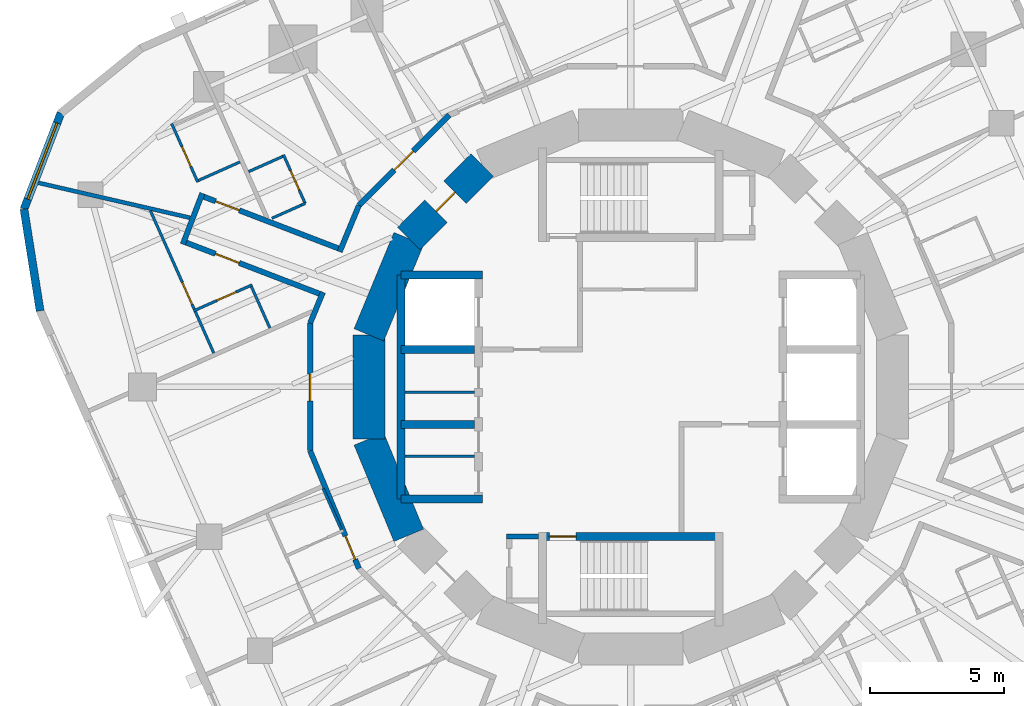
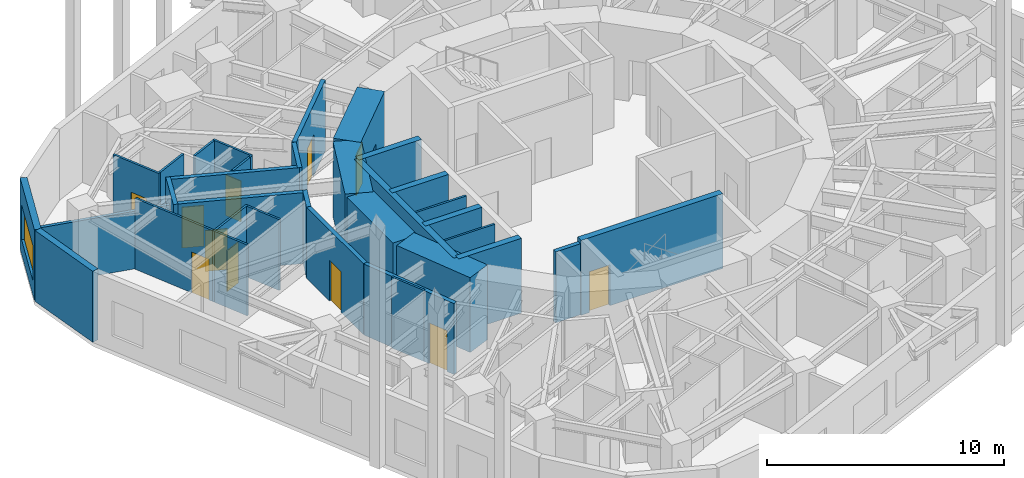
# One storey, part 6 of 11: 35 walls, 11 doors, 1 window, 12 openings.
"""IFC4 building model written with IfcOpenShell, lengths in metres."""

from ifc_helpers import new_model, si_unit, direction, frame, frame_2d, origin, place, context, subcontext, project, spatial, rectangle, extrude, material, layer, layer_set, type_object, element, fill, save


model = new_model("IFC4")

# Units and contexts
model_context = context("Model", 3, precision=1e-05, world=origin(), true_north=direction((0.0, 1.0)))
body_context = subcontext(model_context, "Body", "Model", "MODEL_VIEW")
ifc_project = project(units=[si_unit("LENGTHUNIT", "METRE"), si_unit("AREAUNIT", "SQUARE_METRE"), si_unit("VOLUMEUNIT", "CUBIC_METRE"), si_unit("PLANEANGLEUNIT", "RADIAN"), si_unit("MASSUNIT", "GRAM", prefix="KILO")], contexts=[model_context])

# Site, building, storey
site_placement = place(None, origin())
site = spatial("IfcSite", under=ifc_project, at=site_placement, CompositionType="ELEMENT")
building_placement = place(site_placement, origin())
building = spatial("IfcBuilding", under=site, at=building_placement, Name="Nakasero Lantern House", CompositionType="ELEMENT")
storey_placement = place(building_placement, frame((0.0, 0.0, 182.449951171875)))
storey = spatial("IfcBuildingStorey", under=building, at=storey_placement, Name="L44", CompositionType="ELEMENT", Elevation=182.449951171875)

# Walls
ifc_material_1 = material(Name="Concrete C50/60", Category="concrete")
ifc_layer_1 = layer(ifc_material_1, 0.300048828125)
ifc_layer_set_1 = layer_set([ifc_layer_1], Name="Core inner wall 300")
wall_type_1 = type_object("IfcWallType", Name="Core inner wall 300", PredefinedType="SHEAR", material=ifc_layer_set_1)
for number, where, z_axis, x_axis, name in (
    (1, (-8.60009765625, 4.199951171875, 0.0), (0.0, 0.0, 1.0), (1.0, 0.0, 0.0), "Core inner wall L44 LWN"),
    (2, (-8.60009765625, -4.199951171875, 0.0), (0.0, 0.0, 1.0), (1.0, 0.0, 0.0), "Core inner wall L44 LWS"),
):
    element("IfcWall", number, at=place(storey_placement, frame(where, z_axis=z_axis, x_axis=x_axis)), inside=storey, type_object=wall_type_1, Name=name, PredefinedType="SHEAR", context=body_context, shape_type="SweptSolid", body=[
        extrude(rectangle(XDim=3.050048828125, YDim=0.300048828125, at=frame_2d((1.52490234375, 0.0))), origin(), (0.0, 0.0, 1.0), 3.85009765625),
    ])
wall_1_placement = place(storey_placement, frame((-8.60009765625, -4.199951171875, 0.0), z_axis=(0.0, 0.0, 1.0), x_axis=(0.0, 1.0, 0.0)))
element("IfcWall", 3, at=wall_1_placement, inside=storey, type_object=wall_type_1, Name="Core inner wall L44 LWB", PredefinedType="SHEAR", context=body_context, shape_type="SweptSolid", body=[
    extrude(rectangle(XDim=8.39990234375, YDim=0.300048828125, at=frame_2d((4.199951171875, 0.0))), origin(), (0.0, 0.0, 1.0), 3.85009765625),
])
for number, where, z_axis, x_axis, name in (
    (4, (-8.60009765625, -1.39990234375, 0.0), (0.0, 0.0, 1.0), (1.0, 0.0, 0.0), "Core inner wall L44 LW1"),
    (5, (-8.60009765625, 1.39990234375, 0.0), (0.0, 0.0, 1.0), (1.0, 0.0, 0.0), "Core inner wall L44 LW2"),
):
    element("IfcWall", number, at=place(storey_placement, frame(where, z_axis=z_axis, x_axis=x_axis)), inside=storey, type_object=wall_type_1, Name=name, PredefinedType="SHEAR", context=body_context, shape_type="SweptSolid", body=[
        extrude(rectangle(XDim=2.75, YDim=0.300048828125, at=frame_2d((1.375, 0.0))), origin(), (0.0, 0.0, 1.0), 3.85009765625),
    ])

# Wall, opening, door
wall_2_placement = place(storey_placement, frame((-3.449951171875, -5.60009765625, 0.0), z_axis=(0.0, 0.0, 1.0), x_axis=(1.0, 0.0, 0.0)))
wall_2 = element("IfcWall", 6, at=wall_2_placement, inside=storey, type_object=wall_type_1, Name="Core inner wall L44 SS", PredefinedType="SHEAR", context=body_context, shape_type="SweptSolid", body=[
    extrude(rectangle(XDim=6.89990234375, YDim=0.300048828125, at=frame_2d((3.449951171875, 0.0))), origin(), (0.0, 0.0, 1.0), 3.85009765625),
])
opening_1_placement = place(wall_2_placement, frame((0.39990234375, 0.0, 0.0)))
opening_1 = element("IfcOpeningElement", 7, at=opening_1_placement, cuts=wall_2, Name="Opening D05", PredefinedType="OPENING", context=body_context, shape_type="SweptSolid", body=[
    extrude(rectangle(XDim=1.0, YDim=2.10009765625, at=frame_2d((0.5, 1.050048828125))), frame((0.0, 0.169921875, 0.0), z_axis=(0.0, -1.0, 0.0), x_axis=(1.0, 0.0, 0.0)), (0.0, 0.0, 1.0), 0.340087890625),
])
ifc_material_2 = material(Name="Timber C24", Category="wood")
door_type_1 = type_object("IfcDoorType", Name="Core door FD60S 1000", OperationType="SINGLE_SWING_LEFT", PredefinedType="DOOR", material=ifc_material_2)
door_1_placement = place(opening_1_placement, origin())
door_1 = element("IfcDoor", 8, at=door_1_placement, inside=storey, type_object=door_type_1, Name="Door L44 D-ST2", OperationType="SINGLE_SWING_LEFT", OverallHeight=2.10009765625, OverallWidth=1.0, PredefinedType="DOOR", context=body_context, shape_type="SweptSolid", body=[
    extrude(rectangle(XDim=1.0, YDim=2.10009765625, at=frame_2d((0.5, 1.050048828125))), frame((0.0, 0.02490234375, 0.0), z_axis=(0.0, -1.0, 0.0), x_axis=(1.0, 0.0, 0.0)), (0.0, 0.0, 1.0), 0.050048828125),
])
fill(opening_1, door_1)

# Walls
ifc_material_3 = material(Name="Blockwork", Category="masonry")
ifc_layer_2 = layer(ifc_material_3, 0.10009765625)
ifc_layer_set_2 = layer_set([ifc_layer_2], Name="Core room wall 100")
wall_type_2 = type_object("IfcWallType", Name="Core room wall 100", PredefinedType="PARTITIONING", material=ifc_layer_set_2)
for number, where, z_axis, x_axis, name in (
    (9, (-8.449951171875, -2.60009765625, 0.0), (0.0, 0.0, 1.0), (1.0, 0.0, 0.0), "Core room wall L44 CR-SH-LW1b"),
    (10, (-8.449951171875, -0.199951171875, 0.0), (0.0, 0.0, 1.0), (1.0, 0.0, 0.0), "Core room wall L44 CR-SH-LW2b"),
):
    element("IfcWall", number, at=place(storey_placement, frame(where, z_axis=z_axis, x_axis=x_axis)), inside=storey, type_object=wall_type_2, Name=name, PredefinedType="PARTITIONING", context=body_context, shape_type="SweptSolid", body=[
        extrude(rectangle(XDim=2.599853515625, YDim=0.10009765625, at=frame_2d((1.2998046875, 0.0))), origin(), (0.0, 0.0, 1.0), 3.650146484375),
    ])

# Wall, opening, door
ifc_material_4 = material(Name="Concrete C50/60", Category="concrete")
ifc_layer_3 = layer(ifc_material_4, 1.199951171875)
ifc_layer_set_3 = layer_set([ifc_layer_3], Name="Core wall 1200")
wall_type_3 = type_object("IfcWallType", Name="Core wall 1200", PredefinedType="SHEAR", material=ifc_layer_set_3)
wall_3_placement = place(storey_placement, frame((-5.5556640625, 8.314697265625, 0.0), z_axis=(0.0, 0.0, 1.0), x_axis=(-0.707106781187, -0.707106781187, 0.0)))
wall_3 = element("IfcWall", 11, at=wall_3_placement, inside=storey, type_object=wall_type_3, Name="Core wall L44 facet 6", PredefinedType="SHEAR", context=body_context, shape_type="SweptSolid", body=[
    extrude(rectangle(XDim=3.90185546875, YDim=1.199951171875, at=frame_2d((1.950927734375, 0.0))), origin(), (0.0, 0.0, 1.0), 3.85009765625),
])
opening_2_placement = place(wall_3_placement, frame((1.450927734375, 0.0, 0.0)))
opening_2 = element("IfcOpeningElement", 12, at=opening_2_placement, cuts=wall_3, Name="Opening D05", PredefinedType="OPENING", context=body_context, shape_type="SweptSolid", body=[
    extrude(rectangle(XDim=1.0, YDim=2.10009765625, at=frame_2d((0.5, 1.050048828125))), frame((0.0, 0.619873046875, 0.0), z_axis=(0.0, -1.0, 0.0), x_axis=(1.0, 0.0, 0.0)), (0.0, 0.0, 1.0), 1.239990234375),
])
door_2_placement = place(opening_2_placement, origin())
door_2 = element("IfcDoor", 13, at=door_2_placement, inside=storey, type_object=door_type_1, Name="Door L44 D-CORE06", OperationType="SINGLE_SWING_LEFT", OverallHeight=2.10009765625, OverallWidth=1.0, PredefinedType="DOOR", context=body_context, shape_type="SweptSolid", body=[
    extrude(rectangle(XDim=1.0, YDim=2.10009765625, at=frame_2d((0.5, 1.050048828125))), frame((0.0, 0.02490234375, 0.0), z_axis=(0.0, -1.0, 0.0), x_axis=(1.0, 0.0, 0.0)), (0.0, 0.0, 1.0), 0.050048828125),
])
fill(opening_2, door_2)

# Walls
for number, where, z_axis, x_axis, name in (
    (14, (-8.314697265625, 5.5556640625, 0.0), (0.0, 0.0, 1.0), (-0.382690736062, -0.923876507187, 0.0), "Core wall L44 facet 7"),
    (15, (-9.807861328125, 1.950927734375, 0.0), (0.0, 0.0, 1.0), (0.0, -1.0, 0.0), "Core wall L44 facet 8"),
    (16, (-9.807861328125, -1.950927734375, 0.0), (0.0, 0.0, 1.0), (0.382690736062, -0.923876507187, 0.0), "Core wall L44 facet 9"),
):
    element("IfcWall", number, at=place(storey_placement, frame(where, z_axis=z_axis, x_axis=x_axis)), inside=storey, type_object=wall_type_3, Name=name, PredefinedType="SHEAR", context=body_context, shape_type="SweptSolid", body=[
        extrude(rectangle(XDim=3.90185546875, YDim=1.199951171875, at=frame_2d((1.950927734375, 0.0))), origin(), (0.0, 0.0, 1.0), 3.85009765625),
    ])

# Wall, opening, door
ifc_material_5 = material(Name="Blockwork", Category="masonry")
ifc_layer_4 = layer(ifc_material_5, 0.199951171875)
ifc_layer_set_4 = layer_set([ifc_layer_4], Name="Corridor wall 200")
wall_type_4 = type_object("IfcWallType", Name="Corridor wall 200", PredefinedType="PARTITIONING", material=ifc_layer_set_4)
wall_4_placement = place(storey_placement, frame((-10.1796875, -6.802001953125, 0.0), z_axis=(0.0, 0.0, 1.0), x_axis=(-0.382676767893, 0.923882292998, 0.0)))
wall_4 = element("IfcWall", 17, at=wall_4_placement, inside=storey, type_object=wall_type_4, Name="Corridor wall L44 RC07a", PredefinedType="PARTITIONING", context=body_context, shape_type="SweptSolid", body=[
    extrude(rectangle(XDim=4.777099609375, YDim=0.199951171875, at=frame_2d((2.388671875, 0.0))), origin(), (0.0, 0.0, 1.0), 3.650146484375),
])
opening_3_placement = place(wall_4_placement, frame((0.3701171875, 0.0, 0.0)))
opening_3 = element("IfcOpeningElement", 18, at=opening_3_placement, cuts=wall_4, Name="Opening D01", PredefinedType="OPENING", context=body_context, shape_type="SweptSolid", body=[
    extrude(rectangle(XDim=0.949951171875, YDim=2.10009765625, at=frame_2d((0.47509765625, 1.050048828125))), frame((0.0, 0.119873046875, 0.0), z_axis=(0.0, -1.0, 0.0), x_axis=(1.0, 0.0, 0.0)), (0.0, 0.0, 1.0), 0.239990234375),
])
ifc_material_6 = material(Name="Timber C24", Category="wood")
door_type_2 = type_object("IfcDoorType", Name="Bedroom door FD30S 950", OperationType="SINGLE_SWING_LEFT", PredefinedType="DOOR", material=ifc_material_6)
door_3_placement = place(opening_3_placement, origin())
door_3 = element("IfcDoor", 19, at=door_3_placement, inside=storey, type_object=door_type_2, Name="Door L44 D2-03", OperationType="SINGLE_SWING_LEFT", OverallHeight=2.10009765625, OverallWidth=0.949951171875, PredefinedType="DOOR", context=body_context, shape_type="SweptSolid", body=[
    extrude(rectangle(XDim=0.949951171875, YDim=2.10009765625, at=frame_2d((0.47509765625, 1.050048828125))), frame((0.0, 0.02490234375, 0.0), z_axis=(0.0, -1.0, 0.0), x_axis=(1.0, 0.0, 0.0)), (0.0, 0.0, 1.0), 0.050048828125),
])
fill(opening_3, door_3)

wall_5_placement = place(storey_placement, frame((-12.0078125, -2.388427734375, 0.0), z_axis=(0.0, 0.0, 1.0), x_axis=(0.0, 1.0, 0.0)))
wall_5 = element("IfcWall", 20, at=wall_5_placement, inside=storey, type_object=wall_type_4, Name="Corridor wall L44 RC08a", PredefinedType="PARTITIONING", context=body_context, shape_type="SweptSolid", body=[
    extrude(rectangle(XDim=4.77685546875, YDim=0.199951171875, at=frame_2d((2.388427734375, 0.0))), origin(), (0.0, 0.0, 1.0), 3.650146484375),
])
opening_4_placement = place(wall_5_placement, frame((1.8701171875, 0.0, 0.0)))
opening_4 = element("IfcOpeningElement", 21, at=opening_4_placement, cuts=wall_5, Name="Opening D03", PredefinedType="OPENING", context=body_context, shape_type="SweptSolid", body=[
    extrude(rectangle(XDim=1.0, YDim=2.10009765625, at=frame_2d((0.5, 1.050048828125))), frame((0.0, 0.119873046875, 0.0), z_axis=(0.0, -1.0, 0.0), x_axis=(1.0, 0.0, 0.0)), (0.0, 0.0, 1.0), 0.239990234375),
])
ifc_material_7 = material(Name="Timber C24", Category="wood")
door_type_3 = type_object("IfcDoorType", Name="Lounge door FD30S 1000", OperationType="SINGLE_SWING_LEFT", PredefinedType="DOOR", material=ifc_material_7)
door_4_placement = place(opening_4_placement, origin())
door_4 = element("IfcDoor", 22, at=door_4_placement, inside=storey, type_object=door_type_3, Name="Door L44 DK2", OperationType="SINGLE_SWING_LEFT", OverallHeight=2.10009765625, OverallWidth=1.0, PredefinedType="DOOR", context=body_context, shape_type="SweptSolid", body=[
    extrude(rectangle(XDim=1.0, YDim=2.10009765625, at=frame_2d((0.5, 1.050048828125))), frame((0.0, 0.02490234375, 0.0), z_axis=(0.0, -1.0, 0.0), x_axis=(1.0, 0.0, 0.0)), (0.0, 0.0, 1.0), 0.050048828125),
])
fill(opening_4, door_4)

# Walls
wall_6_placement = place(storey_placement, frame((-12.0078125, 2.388427734375, 0.0), z_axis=(0.0, 0.0, 1.0), x_axis=(0.382609746966, 0.923910050561, 0.0)))
element("IfcWall", 23, at=wall_6_placement, inside=storey, type_object=wall_type_4, Name="Corridor wall L44 RC09a", PredefinedType="PARTITIONING", context=body_context, shape_type="SweptSolid", body=[
    extrude(rectangle(XDim=1.25390625, YDim=0.199951171875, at=frame_2d((0.626953125, 0.0))), origin(), (0.0, 0.0, 1.0), 3.650146484375),
])
wall_7_placement = place(storey_placement, frame((-10.900146484375, 5.0625, 0.0), z_axis=(0.0, 0.0, 1.0), x_axis=(0.38265336809, 0.923891984969, 0.0)))
element("IfcWall", 24, at=wall_7_placement, inside=storey, type_object=wall_type_4, Name="Corridor wall L44 RC09b", PredefinedType="PARTITIONING", context=body_context, shape_type="SweptSolid", body=[
    extrude(rectangle(XDim=1.8828125, YDim=0.199951171875, at=frame_2d((0.94140625, 0.0))), origin(), (0.0, 0.0, 1.0), 3.650146484375),
])

# Wall, opening, door
wall_8_placement = place(storey_placement, frame((-10.1796875, 6.802001953125, 0.0), z_axis=(0.0, 0.0, 1.0), x_axis=(0.707106781187, 0.707106781187, 0.0)))
wall_8 = element("IfcWall", 25, at=wall_8_placement, inside=storey, type_object=wall_type_4, Name="Corridor wall L44 RC10a", PredefinedType="PARTITIONING", context=body_context, shape_type="SweptSolid", body=[
    extrude(rectangle(XDim=4.77685546875, YDim=0.199951171875, at=frame_2d((2.388427734375, 0.0))), origin(), (0.0, 0.0, 1.0), 3.650146484375),
])
opening_5_placement = place(wall_8_placement, frame((1.8701171875, 0.0, 0.0)))
opening_5 = element("IfcOpeningElement", 26, at=opening_5_placement, cuts=wall_8, Name="Opening D14", PredefinedType="OPENING", context=body_context, shape_type="SweptSolid", body=[
    extrude(rectangle(XDim=1.0, YDim=2.10009765625, at=frame_2d((0.5, 1.050048828125))), frame((0.0, 0.119873046875, 0.0), z_axis=(0.0, -1.0, 0.0), x_axis=(1.0, 0.0, 0.0)), (0.0, 0.0, 1.0), 0.239990234375),
])
ifc_material_8 = material(Name="Timber C24", Category="wood")
door_type_4 = type_object("IfcDoorType", Name="Cluster entrance door FD30S 1000", OperationType="SINGLE_SWING_LEFT", PredefinedType="DOOR", material=ifc_material_8)
door_5_placement = place(opening_5_placement, origin())
door_5 = element("IfcDoor", 27, at=door_5_placement, inside=storey, type_object=door_type_4, Name="Door L44 D1-04", OperationType="SINGLE_SWING_LEFT", OverallHeight=2.10009765625, OverallWidth=1.0, PredefinedType="DOOR", context=body_context, shape_type="SweptSolid", body=[
    extrude(rectangle(XDim=1.0, YDim=2.10009765625, at=frame_2d((0.5, 1.050048828125))), frame((0.0, 0.02490234375, 0.0), z_axis=(0.0, -1.0, 0.0), x_axis=(1.0, 0.0, 0.0)), (0.0, 0.0, 1.0), 0.050048828125),
])
fill(opening_5, door_5)

wall_9_placement = place(storey_placement, frame((-10.862060546875, 5.155029296875, 0.0), z_axis=(0.0, 0.0, 1.0), x_axis=(-0.933576547613, 0.35837805422, 0.0)))
wall_9 = element("IfcWall", 28, at=wall_9_placement, inside=storey, type_object=wall_type_4, Name="Corridor wall L44 SP1a", PredefinedType="PARTITIONING", context=body_context, shape_type="SweptSolid", body=[
    extrude(rectangle(XDim=5.689697265625, YDim=0.199951171875, at=frame_2d((2.8447265625, 0.0))), origin(), (0.0, 0.0, 1.0), 3.650146484375),
])
opening_6_placement = place(wall_9_placement, frame((4.070068359375, 0.0, 0.0)))
opening_6 = element("IfcOpeningElement", 29, at=opening_6_placement, cuts=wall_9, Name="Opening D01", PredefinedType="OPENING", context=body_context, shape_type="SweptSolid", body=[
    extrude(rectangle(XDim=0.949951171875, YDim=2.10009765625, at=frame_2d((0.47509765625, 1.050048828125))), frame((0.0, 0.119873046875, 0.0), z_axis=(0.0, -1.0, 0.0), x_axis=(1.0, 0.0, 0.0)), (0.0, 0.0, 1.0), 0.239990234375),
])
door_6_placement = place(opening_6_placement, origin())
door_6 = element("IfcDoor", 30, at=door_6_placement, inside=storey, type_object=door_type_2, Name="Door L44 D1-06", OperationType="SINGLE_SWING_RIGHT", OverallHeight=2.10009765625, OverallWidth=0.949951171875, PredefinedType="DOOR", context=body_context, shape_type="SweptSolid", body=[
    extrude(rectangle(XDim=0.949951171875, YDim=2.10009765625, at=frame_2d((0.47509765625, 1.050048828125))), frame((0.0, 0.02490234375, 0.0), z_axis=(0.0, -1.0, 0.0), x_axis=(1.0, 0.0, 0.0)), (0.0, 0.0, 1.0), 0.050048828125),
])
fill(opening_6, door_6)

wall_10_placement = place(storey_placement, frame((-11.56640625, 3.454345703125, 0.0), z_axis=(0.0, 0.0, 1.0), x_axis=(-0.933567378484, 0.358401938933, 0.0)))
wall_10 = element("IfcWall", 31, at=wall_10_placement, inside=storey, type_object=wall_type_4, Name="Corridor wall L44 SP1b", PredefinedType="PARTITIONING", context=body_context, shape_type="SweptSolid", body=[
    extrude(rectangle(XDim=5.6416015625, YDim=0.199951171875, at=frame_2d((2.82080078125, 0.0))), origin(), (0.0, 0.0, 1.0), 3.650146484375),
])
opening_7_placement = place(wall_10_placement, frame((3.320068359375, 0.0, 0.0)))
opening_7 = element("IfcOpeningElement", 32, at=opening_7_placement, cuts=wall_10, Name="Opening D01", PredefinedType="OPENING", context=body_context, shape_type="SweptSolid", body=[
    extrude(rectangle(XDim=0.949951171875, YDim=2.10009765625, at=frame_2d((0.47509765625, 1.050048828125))), frame((0.0, 0.119873046875, 0.0), z_axis=(0.0, -1.0, 0.0), x_axis=(1.0, 0.0, 0.0)), (0.0, 0.0, 1.0), 0.239990234375),
])
door_7_placement = place(opening_7_placement, origin())
door_7 = element("IfcDoor", 33, at=door_7_placement, inside=storey, type_object=door_type_2, Name="Door L44 D2-00", OperationType="SINGLE_SWING_RIGHT", OverallHeight=2.10009765625, OverallWidth=0.949951171875, PredefinedType="DOOR", context=body_context, shape_type="SweptSolid", body=[
    extrude(rectangle(XDim=0.949951171875, YDim=2.10009765625, at=frame_2d((0.47509765625, 1.050048828125))), frame((0.0, 0.02490234375, 0.0), z_axis=(0.0, -1.0, 0.0), x_axis=(1.0, 0.0, 0.0)), (0.0, 0.0, 1.0), 0.050048828125),
])
fill(opening_7, door_7)

# Wall
wall_11_placement = place(storey_placement, frame((-16.044677734375, 7.25146484375, 0.0), z_axis=(0.0, 0.0, 1.0), x_axis=(-0.358457713283, -0.933545964475, 0.0)))
element("IfcWall", 34, at=wall_11_placement, inside=storey, type_object=wall_type_4, Name="Corridor wall L44 SP1e", PredefinedType="PARTITIONING", context=body_context, shape_type="SweptSolid", body=[
    extrude(rectangle(XDim=2.039794921875, YDim=0.199951171875, at=frame_2d((1.02001953125, 0.0))), origin(), (0.0, 0.0, 1.0), 3.650146484375),
])

# Wall, opening, door
ifc_material_9 = material(Name="Blockwork", Category="masonry")
ifc_layer_5 = layer(ifc_material_9, 0.10009765625)
ifc_layer_set_5 = layer_set([ifc_layer_5], Name="En-suite wall 100")
wall_type_5 = type_object("IfcWallType", Name="En-suite wall 100", PredefinedType="PARTITIONING", material=ifc_layer_set_5)
wall_12_placement = place(storey_placement, frame((-12.19384765625, 6.87158203125, 0.0), z_axis=(0.0, 0.0, 1.0), x_axis=(-0.406727323635, 0.913549606868, 0.0)))
wall_12 = element("IfcWall", 35, at=wall_12_placement, inside=storey, type_object=wall_type_5, Name="En-suite wall L44 ES1-05", PredefinedType="PARTITIONING", context=body_context, shape_type="SweptSolid", body=[
    extrude(rectangle(XDim=2.0, YDim=0.10009765625, at=frame_2d((1.0, 0.0))), origin(), (0.0, 0.0, 1.0), 3.650146484375),
])
opening_8_placement = place(wall_12_placement, frame((0.550048828125, 0.0, 0.0)))
opening_8 = element("IfcOpeningElement", 36, at=opening_8_placement, cuts=wall_12, Name="Opening D02", PredefinedType="OPENING", context=body_context, shape_type="SweptSolid", body=[
    extrude(rectangle(XDim=0.800048828125, YDim=2.10009765625, at=frame_2d((0.39990234375, 1.050048828125))), frame((0.0, 0.070068359375, 0.0), z_axis=(0.0, -1.0, 0.0), x_axis=(1.0, 0.0, 0.0)), (0.0, 0.0, 1.0), 0.14013671875),
])
ifc_material_10 = material(Name="Timber C24", Category="wood")
door_type_5 = type_object("IfcDoorType", Name="En-suite door 800", OperationType="SINGLE_SWING_RIGHT", PredefinedType="DOOR", material=ifc_material_10)
door_8_placement = place(opening_8_placement, origin())
door_8 = element("IfcDoor", 37, at=door_8_placement, inside=storey, type_object=door_type_5, Name="Door L44 DE1-05", OperationType="SINGLE_SWING_LEFT", OverallHeight=2.10009765625, OverallWidth=0.800048828125, PredefinedType="DOOR", context=body_context, shape_type="SweptSolid", body=[
    extrude(rectangle(XDim=0.800048828125, YDim=2.10009765625, at=frame_2d((0.39990234375, 1.050048828125))), frame((0.0, 0.02490234375, 0.0), z_axis=(0.0, -1.0, 0.0), x_axis=(1.0, 0.0, 0.0)), (0.0, 0.0, 1.0), 0.050048828125),
])
fill(opening_8, door_8)

# Wall
wall_13_placement = place(storey_placement, frame((-13.032470703125, 8.632568359375, 0.0), z_axis=(0.0, 0.0, 1.0), x_axis=(-0.91358129113, -0.406656150203, 0.0)))
element("IfcWall", 38, at=wall_13_placement, inside=storey, type_object=wall_type_5, Name="En-suite wall L44 EE1-05", PredefinedType="PARTITIONING", context=body_context, shape_type="SweptSolid", body=[
    extrude(rectangle(XDim=1.400146484375, YDim=0.10009765625, at=frame_2d((0.7001953125, 0.0))), origin(), (0.0, 0.0, 1.0), 3.650146484375),
])

# Wall, opening, door
wall_14_placement = place(storey_placement, frame((-16.215087890625, 7.66748046875, 0.0), z_axis=(0.0, 0.0, 1.0), x_axis=(-0.40677069889, 0.913530294257, 0.0)))
wall_14 = element("IfcWall", 39, at=wall_14_placement, inside=storey, type_object=wall_type_5, Name="En-suite wall L44 ES1-06", PredefinedType="PARTITIONING", context=body_context, shape_type="SweptSolid", body=[
    extrude(rectangle(XDim=2.400146484375, YDim=0.10009765625, at=frame_2d((1.2001953125, 0.0))), origin(), (0.0, 0.0, 1.0), 3.650146484375),
])
opening_9_placement = place(wall_14_placement, frame((0.64990234375, 0.0, 0.0)))
opening_9 = element("IfcOpeningElement", 40, at=opening_9_placement, cuts=wall_14, Name="Opening D02", PredefinedType="OPENING", context=body_context, shape_type="SweptSolid", body=[
    extrude(rectangle(XDim=0.800048828125, YDim=2.10009765625, at=frame_2d((0.39990234375, 1.050048828125))), frame((0.0, 0.070068359375, 0.0), z_axis=(0.0, -1.0, 0.0), x_axis=(1.0, 0.0, 0.0)), (0.0, 0.0, 1.0), 0.14013671875),
])
door_9_placement = place(opening_9_placement, origin())
door_9 = element("IfcDoor", 41, at=door_9_placement, inside=storey, type_object=door_type_5, Name="Door L44 DE1-06", OperationType="SINGLE_SWING_LEFT", OverallHeight=2.10009765625, OverallWidth=0.800048828125, PredefinedType="DOOR", context=body_context, shape_type="SweptSolid", body=[
    extrude(rectangle(XDim=0.800048828125, YDim=2.10009765625, at=frame_2d((0.39990234375, 1.050048828125))), frame((0.0, 0.02490234375, 0.0), z_axis=(0.0, -1.0, 0.0), x_axis=(1.0, 0.0, 0.0)), (0.0, 0.0, 1.0), 0.050048828125),
])
fill(opening_9, door_9)

# Wall
wall_15_placement = place(storey_placement, frame((-14.63671875, 8.425048828125, 0.0), z_axis=(0.0, 0.0, 1.0), x_axis=(-0.91357452948, -0.406671340378, 0.0)))
element("IfcWall", 42, at=wall_15_placement, inside=storey, type_object=wall_type_5, Name="En-suite wall L44 EI1-06", PredefinedType="PARTITIONING", context=body_context, shape_type="SweptSolid", body=[
    extrude(rectangle(XDim=1.7001953125, YDim=0.10009765625, at=frame_2d((0.85009765625, 0.0))), origin(), (0.0, 0.0, 1.0), 3.650146484375),
])

# Wall, opening, door
wall_16_placement = place(storey_placement, frame((-14.180908203125, 3.822998046875, 0.0), z_axis=(0.0, 0.0, 1.0), x_axis=(-0.913530294257, -0.40677069889, 0.0)))
wall_16 = element("IfcWall", 43, at=wall_16_placement, inside=storey, type_object=wall_type_5, Name="En-suite wall L44 ES2-00", PredefinedType="PARTITIONING", context=body_context, shape_type="SweptSolid", body=[
    extrude(rectangle(XDim=2.400146484375, YDim=0.10009765625, at=frame_2d((1.2001953125, 0.0))), origin(), (0.0, 0.0, 1.0), 3.650146484375),
])
opening_10_placement = place(wall_16_placement, frame((0.64990234375, 0.0, 0.0)))
opening_10 = element("IfcOpeningElement", 44, at=opening_10_placement, cuts=wall_16, Name="Opening D02", PredefinedType="OPENING", context=body_context, shape_type="SweptSolid", body=[
    extrude(rectangle(XDim=0.800048828125, YDim=2.10009765625, at=frame_2d((0.39990234375, 1.050048828125))), frame((0.0, 0.070068359375, 0.0), z_axis=(0.0, -1.0, 0.0), x_axis=(1.0, 0.0, 0.0)), (0.0, 0.0, 1.0), 0.14013671875),
])
door_10_placement = place(opening_10_placement, origin())
door_10 = element("IfcDoor", 45, at=door_10_placement, inside=storey, type_object=door_type_5, Name="Door L44 DE2-00", OperationType="SINGLE_SWING_LEFT", OverallHeight=2.10009765625, OverallWidth=0.800048828125, PredefinedType="DOOR", context=body_context, shape_type="SweptSolid", body=[
    extrude(rectangle(XDim=0.800048828125, YDim=2.10009765625, at=frame_2d((0.39990234375, 1.050048828125))), frame((0.0, 0.02490234375, 0.0), z_axis=(0.0, -1.0, 0.0), x_axis=(1.0, 0.0, 0.0)), (0.0, 0.0, 1.0), 0.050048828125),
])
fill(opening_10, door_10)

# Walls
wall_17_placement = place(storey_placement, frame((-16.307373046875, 2.821533203125, 0.0), z_axis=(0.0, 0.0, 1.0), x_axis=(0.406671340378, -0.91357452948, 0.0)))
element("IfcWall", 46, at=wall_17_placement, inside=storey, type_object=wall_type_5, Name="En-suite wall L44 EE2-00", PredefinedType="PARTITIONING", context=body_context, shape_type="SweptSolid", body=[
    extrude(rectangle(XDim=1.7001953125, YDim=0.10009765625, at=frame_2d((0.85009765625, 0.0))), origin(), (0.0, 0.0, 1.0), 3.650146484375),
])
for number, where, z_axis, x_axis, name in (
    (47, (-14.206298828125, 3.7568359375, 0.0), (0.0, 0.0, 1.0), (0.406724697108, -0.913550776237, 0.0), "En-suite wall L44 EI2-00"),
    (48, (-11.526123046875, -3.798583984375, 0.0), (0.0, 0.0, 1.0), (0.406724697108, -0.913550776237, 0.0), "En-suite wall L44 EI2-03"),
):
    element("IfcWall", number, at=place(storey_placement, frame(where, z_axis=z_axis, x_axis=x_axis)), inside=storey, type_object=wall_type_5, Name=name, PredefinedType="PARTITIONING", context=body_context, shape_type="SweptSolid", body=[
        extrude(rectangle(XDim=1.699951171875, YDim=0.10009765625, at=frame_2d((0.85009765625, 0.0))), origin(), (0.0, 0.0, 1.0), 3.650146484375),
    ])

# Wall, opening, door
wall_18_placement = place(storey_placement, frame((-17.989990234375, 6.6005859375, 0.0), z_axis=(0.0, 0.0, 1.0), x_axis=(0.40672759341, -0.91354948676, 0.0)))
wall_18 = element("IfcWall", 49, at=wall_18_placement, inside=storey, type_object=wall_type_5, Name="En-suite wall L44 EL2-00", PredefinedType="PARTITIONING", context=body_context, shape_type="SweptSolid", body=[
    extrude(rectangle(XDim=4.03662109375, YDim=0.10009765625, at=frame_2d((2.018310546875, 0.0))), origin(), (0.0, 0.0, 1.0), 3.650146484375),
])
opening_11_placement = place(wall_18_placement, frame((2.936767578125, 0.0, 0.0)))
opening_11 = element("IfcOpeningElement", 50, at=opening_11_placement, cuts=wall_18, Name="Opening D17", PredefinedType="OPENING", context=body_context, shape_type="SweptSolid", body=[
    extrude(rectangle(XDim=0.89990234375, YDim=2.10009765625, at=frame_2d((0.449951171875, 1.050048828125))), frame((0.0, 0.070068359375, 0.0), z_axis=(0.0, -1.0, 0.0), x_axis=(1.0, 0.0, 0.0)), (0.0, 0.0, 1.0), 0.14013671875),
])
ifc_material_11 = material(Name="Timber C24", Category="wood")
door_type_6 = type_object("IfcDoorType", Name="Bedroom door FD30S 900", OperationType="SINGLE_SWING_LEFT", PredefinedType="DOOR", material=ifc_material_11)
door_11_placement = place(opening_11_placement, origin())
door_11 = element("IfcDoor", 51, at=door_11_placement, inside=storey, type_object=door_type_6, Name="Door L44 DL2-00", OperationType="SINGLE_SWING_RIGHT", OverallHeight=2.10009765625, OverallWidth=0.89990234375, PredefinedType="DOOR", context=body_context, shape_type="SweptSolid", body=[
    extrude(rectangle(XDim=0.89990234375, YDim=2.10009765625, at=frame_2d((0.449951171875, 1.050048828125))), frame((0.0, 0.02490234375, 0.0), z_axis=(0.0, -1.0, 0.0), x_axis=(1.0, 0.0, 0.0)), (0.0, 0.0, 1.0), 0.050048828125),
])
fill(opening_11, door_11)

# Walls
wall_19_placement = place(storey_placement, frame((-13.44091796875, 6.31640625, 0.0), z_axis=(0.0, 0.0, 1.0), x_axis=(0.9136193121, 0.406570722702, 0.0)))
element("IfcWall", 52, at=wall_19_placement, inside=storey, type_object=wall_type_5, Name="En-suite wall L44 EX001", PredefinedType="PARTITIONING", context=body_context, shape_type="SweptSolid", body=[
    extrude(rectangle(XDim=1.205078125, YDim=0.10009765625, at=frame_2d((0.6025390625, 0.0))), origin(), (0.0, 0.0, 1.0), 3.650146484375),
])
wall_20_placement = place(storey_placement, frame((-12.19384765625, 6.87158203125, 0.0), z_axis=(0.0, 0.0, 1.0), x_axis=(-0.913117581485, -0.407696311466, 0.0)))
element("IfcWall", 53, at=wall_20_placement, inside=storey, type_object=wall_type_5, Name="En-suite wall L44 ES1-05R0", PredefinedType="PARTITIONING", context=body_context, shape_type="SweptSolid", body=[
    extrude(rectangle(XDim=0.159912109375, YDim=0.10009765625, at=frame_2d((0.080078125, 0.0))), origin(), (0.0, 0.0, 1.0), 3.650146484375),
])

# Wall, opening, window
ifc_material_12 = material(Name="Aluminium rainscreen on blockwork", Category="masonry")
ifc_layer_6 = layer(ifc_material_12, 0.300048828125)
ifc_layer_set_6 = layer_set([ifc_layer_6], Name="Facade wall 300")
wall_type_6 = type_object("IfcWallType", Name="Facade wall 300", PredefinedType="SOLIDWALL", material=ifc_layer_set_6)
wall_21_placement = place(storey_placement, frame((-21.342529296875, 10.258056640625, 0.0), z_axis=(0.0, 0.0, 1.0), x_axis=(-0.358321438858, -0.933598278948, 0.0)))
wall_21 = element("IfcWall", 54, at=wall_21_placement, inside=storey, type_object=wall_type_6, Name="Facade wall L44 FW1C2", PredefinedType="SOLIDWALL", context=body_context, shape_type="SweptSolid", body=[
    extrude(rectangle(XDim=3.8564453125, YDim=0.300048828125, at=frame_2d((1.92822265625, 0.0))), origin(), (0.0, 0.0, 1.0), 3.650146484375),
])
opening_12_placement = place(wall_21_placement, frame((0.39990234375, 0.0, 0.75)))
opening_12 = element("IfcOpeningElement", 55, at=opening_12_placement, cuts=wall_21, Name="Opening W230", PredefinedType="OPENING", context=body_context, shape_type="SweptSolid", body=[
    extrude(rectangle(XDim=3.055908203125, YDim=1.800048828125, at=frame_2d((1.52783203125, 0.89990234375))), frame((0.0, 0.169921875, 0.0), z_axis=(0.0, -1.0, 0.0), x_axis=(1.0, 0.0, 0.0)), (0.0, 0.0, 1.0), 0.340087890625),
])
ifc_material_13 = material(Name="Aluminium 6063-T6 and glass", Category="aluminium")
window_type = type_object("IfcWindowType", Name="Corner window 3056x1800", PartitioningType="SINGLE_PANEL", PredefinedType="WINDOW", material=ifc_material_13)
window_placement = place(opening_12_placement, origin())
window = element("IfcWindow", 56, at=window_placement, inside=storey, type_object=window_type, Name="Window L44 WC1", OverallHeight=1.800048828125, OverallWidth=3.055908203125, PartitioningType="SINGLE_PANEL", PredefinedType="WINDOW", context=body_context, shape_type="SweptSolid", body=[
    extrude(rectangle(XDim=3.055908203125, YDim=1.800048828125, at=frame_2d((1.52783203125, 0.89990234375))), frame((0.0, 0.030029296875, 0.0), z_axis=(0.0, -1.0, 0.0), x_axis=(1.0, 0.0, 0.0)), (0.0, 0.0, 1.0), 0.06005859375),
])
fill(opening_12, window)

# Walls
wall_22_placement = place(storey_placement, frame((-22.724365234375, 6.65771484375, 0.0), z_axis=(0.0, 0.0, 1.0), x_axis=(0.156437203878, -0.987687906802, 0.0)))
element("IfcWall", 57, at=wall_22_placement, inside=storey, type_object=wall_type_6, Name="Facade wall L44 FW1C3", PredefinedType="SOLIDWALL", context=body_context, shape_type="SweptSolid", body=[
    extrude(rectangle(XDim=3.856201171875, YDim=0.300048828125, at=frame_2d((1.92822265625, 0.0))), origin(), (0.0, 0.0, 1.0), 3.650146484375),
])
ifc_material_14 = material(Name="Blockwork", Category="masonry")
ifc_layer_7 = layer(ifc_material_14, 0.199951171875)
ifc_layer_set_7 = layer_set([ifc_layer_7], Name="Fire lobby wall 200")
wall_type_7 = type_object("IfcWallType", Name="Fire lobby wall 200", PredefinedType="PARTITIONING", material=ifc_layer_set_7)
wall_23_placement = place(storey_placement, frame((-3.449951171875, -5.60009765625, 0.0), z_axis=(0.0, 0.0, 1.0), x_axis=(-1.0, 0.0, 0.0)))
element("IfcWall", 58, at=wall_23_placement, inside=storey, type_object=wall_type_7, Name="Fire lobby wall L44 W-RS2N", PredefinedType="PARTITIONING", context=body_context, shape_type="SweptSolid", body=[
    extrude(rectangle(XDim=1.199951171875, YDim=0.199951171875, at=frame_2d((0.60009765625, 0.0))), origin(), (0.0, 0.0, 1.0), 3.650146484375),
])
ifc_material_15 = material(Name="Blockwork", Category="masonry")
ifc_layer_8 = layer(ifc_material_15, 0.14990234375)
ifc_layer_set_8 = layer_set([ifc_layer_8], Name="Party wall 150")
wall_type_8 = type_object("IfcWallType", Name="Party wall 150", PredefinedType="PARTITIONING", material=ifc_layer_set_8)
wall_24_placement = place(storey_placement, frame((-16.503662109375, 6.335205078125, 0.0), z_axis=(0.0, 0.0, 1.0), x_axis=(-0.974479416831, 0.224476872244, 0.0)))
element("IfcWall", 59, at=wall_24_placement, inside=storey, type_object=wall_type_8, Name="Party wall L44 PW2-00", PredefinedType="PARTITIONING", context=body_context, shape_type="SweptSolid", body=[
    extrude(rectangle(XDim=5.8251953125, YDim=0.14990234375, at=frame_2d((2.91259765625, 0.0))), origin(), (0.0, 0.0, 1.0), 2.966552734375),
])

save(model, "model.ifc")
